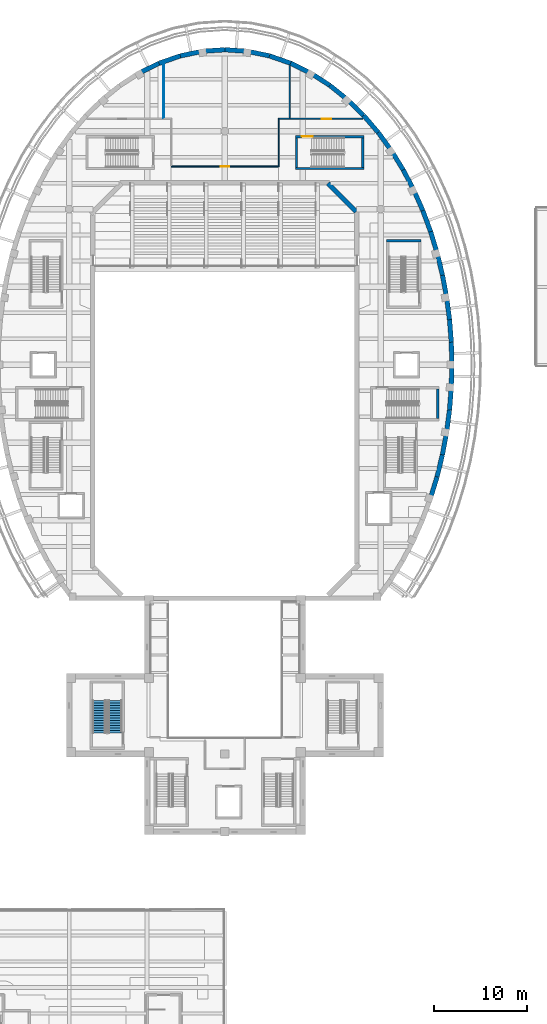
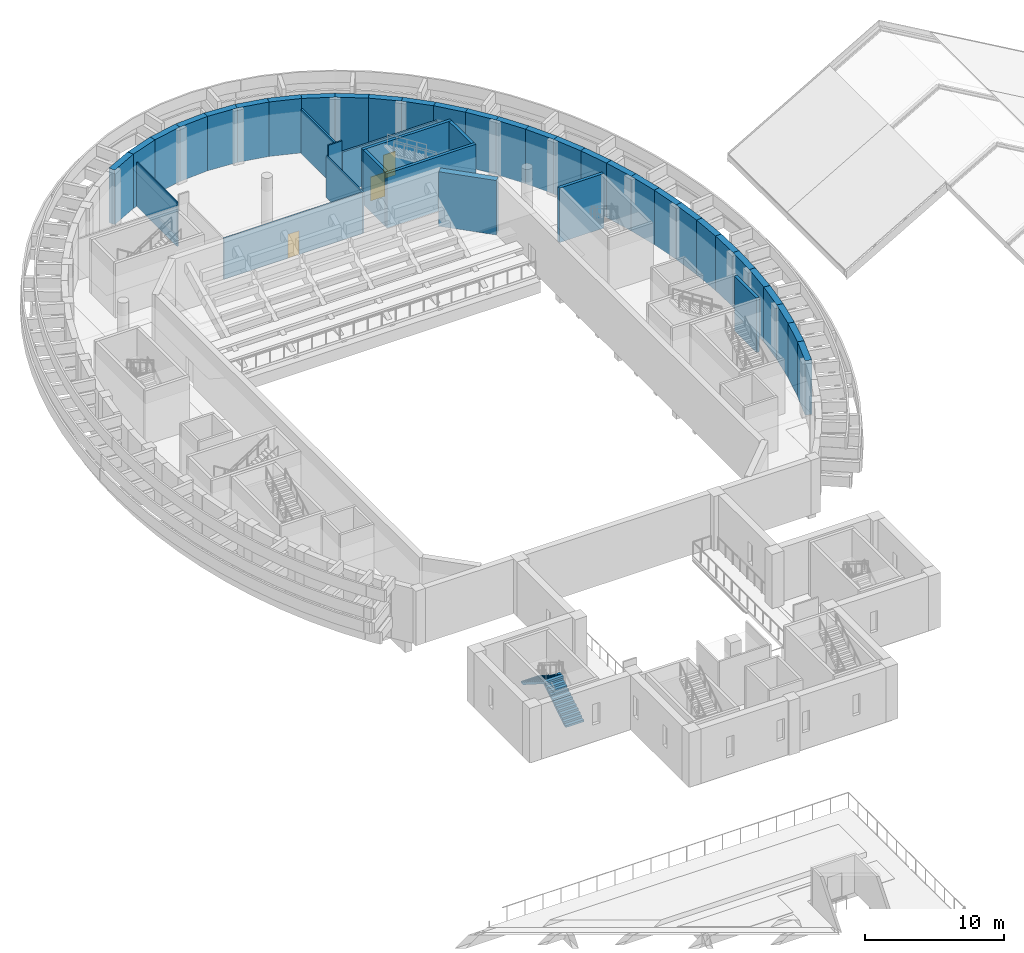
# One storey, part 14 of 37: 42 walls, 3 doors, 2 stair flights, 3 openings, 1 element without a shape of its own.
"""IFC4 building model written with IfcOpenShell, lengths in metres."""

from ifc_helpers import new_model, si_unit, direction, frame, frame_2d, origin, place, context, subcontext, project, spatial, polyline, rectangle, outline, extrude, material, layer, layer_set, type_object, element, fill, aggregate, save


model = new_model("IFC4")

# Units and contexts
model_context = context("Model", 3, precision=1e-05, world=origin(), true_north=direction((0.0, 1.0)))
body_context = subcontext(model_context, "Body", "Model", "MODEL_VIEW")
ifc_project = project(units=[si_unit("LENGTHUNIT", "METRE"), si_unit("AREAUNIT", "SQUARE_METRE"), si_unit("VOLUMEUNIT", "CUBIC_METRE"), si_unit("PLANEANGLEUNIT", "RADIAN"), si_unit("MASSUNIT", "GRAM", prefix="KILO")], contexts=[model_context])

# Site, building, storey
site_placement = place(None, origin())
site = spatial("IfcSite", under=ifc_project, at=site_placement, CompositionType="ELEMENT")
building_placement = place(site_placement, origin())
building = spatial("IfcBuilding", under=site, at=building_placement, Name="Larchfold Concert Hall", CompositionType="ELEMENT")
storey_placement = place(building_placement, frame((0.0, 0.0, 19.199951171875)))
storey = spatial("IfcBuildingStorey", under=building, at=storey_placement, Name="L04", CompositionType="ELEMENT", Elevation=19.199951171875)

# Walls
ifc_material_1 = material(Name="Plasterboard partition on steel studs", Category="steel")
ifc_layer_1 = layer(ifc_material_1, 0.125)
ifc_layer_set_1 = layer_set([ifc_layer_1], Name="Plasterboard partition on steel studs")
wall_type_1 = type_object("IfcWallType", Name="Corridor partition 125 EI 60", PredefinedType="PARTITIONING", material=ifc_layer_set_1)
wall_1_placement = place(storey_placement, frame((48.40087890625, 105.97998046875, 0.0), z_axis=(0.0, 0.0, 1.0), x_axis=(0.0, 1.0, 0.0)))
element("IfcWall", 1, at=wall_1_placement, inside=storey, type_object=wall_type_1, Name="Partition IW0001", PredefinedType="PARTITIONING", context=body_context, shape_type="SweptSolid", body=[
    extrude(rectangle(XDim=5.2314453125, YDim=0.125, at=frame_2d((2.61572265625, 0.0))), origin(), (0.0, 0.0, 1.0), 3.60009765625),
])
wall_2_placement = place(storey_placement, frame((48.46337890625, 111.14892578125, 0.0), z_axis=(0.0, 0.0, 1.0), x_axis=(1.0, 0.0, 0.0)))
element("IfcWall", 2, at=wall_2_placement, inside=storey, type_object=wall_type_1, Name="Partition IW0002", PredefinedType="PARTITIONING", context=body_context, shape_type="SweptSolid", body=[
    extrude(rectangle(XDim=1.155517578125, YDim=0.125, at=frame_2d((0.57763671875, 0.0))), origin(), (0.0, 0.0, 1.0), 4.60009765625),
])

# Wall, opening, door
wall_3_placement = place(storey_placement, frame((36.800048828125, 106.0, 0.0), z_axis=(0.0, 0.0, 1.0), x_axis=(1.0, 0.0, 0.0)))
wall_3 = element("IfcWall", 3, at=wall_3_placement, inside=storey, type_object=wall_type_1, Name="Partition IW0004", PredefinedType="PARTITIONING", context=body_context, shape_type="SweptSolid", body=[
    extrude(rectangle(XDim=11.534912109375, YDim=0.125, at=frame_2d((5.767578125, 0.0))), origin(), (0.0, 0.0, 1.0), 3.60009765625),
])
opening_1_placement = place(wall_3_placement, frame((5.35009765625, 0.0, 0.0)))
opening_1 = element("IfcOpeningElement", 4, at=opening_1_placement, cuts=wall_3, Name="Opening D-L04-104", PredefinedType="OPENING", context=body_context, shape_type="SweptSolid", body=[
    extrude(rectangle(XDim=0.89990234375, YDim=2.10009765625, at=frame_2d((0.449951171875, 1.050048828125))), frame((0.0, 0.072509765625, 0.0), z_axis=(0.0, -1.0, 0.0), x_axis=(1.0, 0.0, 0.0)), (0.0, 0.0, 1.0), 0.14501953125),
])
ifc_material_2 = material(Name="Timber door leaf", Category="wood")
door_type_1 = type_object("IfcDoorType", Name="Control room door 900 x 2100 FD60S", OperationType="SINGLE_SWING_LEFT", PredefinedType="DOOR", material=ifc_material_2)
door_1_placement = place(opening_1_placement, origin())
door_1 = element("IfcDoor", 5, at=door_1_placement, inside=storey, type_object=door_type_1, Name="Door D-L04-104", OperationType="SINGLE_SWING_LEFT", OverallHeight=2.10009765625, OverallWidth=0.89990234375, PredefinedType="DOOR", context=body_context, shape_type="SweptSolid", body=[
    extrude(rectangle(XDim=0.89990234375, YDim=2.10009765625, at=frame_2d((0.449951171875, 1.050048828125))), frame((0.0, 0.02490234375, 0.0), z_axis=(0.0, -1.0, 0.0), x_axis=(1.0, 0.0, 0.0)), (0.0, 0.0, 1.0), 0.050048828125),
])
fill(opening_1, door_1)

ifc_material_3 = material(Name="Plasterboard partition on steel studs", Category="steel")
ifc_layer_2 = layer(ifc_material_3, 0.14990234375)
ifc_layer_set_2 = layer_set([ifc_layer_2], Name="Plasterboard partition on steel studs")
wall_type_2 = type_object("IfcWallType", Name="Shaft and plant partition 150 EI 120", PredefinedType="PARTITIONING", material=ifc_layer_set_2)
wall_4_placement = place(storey_placement, frame((49.6201171875, 111.14892578125, 0.0), z_axis=(0.0, 0.0, 1.0), x_axis=(1.0, 0.0, 0.0)))
wall_4 = element("IfcWall", 6, at=wall_4_placement, inside=storey, type_object=wall_type_2, Name="Partition IW0003", PredefinedType="PARTITIONING", context=body_context, shape_type="SweptSolid", body=[
    extrude(rectangle(XDim=7.87890625, YDim=0.14990234375, at=frame_2d((3.939453125, 0.0))), origin(), (0.0, 0.0, 1.0), 3.60009765625),
])
opening_2_placement = place(wall_4_placement, frame((3.459716796875, 0.0, 0.0)))
opening_2 = element("IfcOpeningElement", 7, at=opening_2_placement, cuts=wall_4, Name="Opening D-L04-105", PredefinedType="OPENING", context=body_context, shape_type="SweptSolid", body=[
    extrude(rectangle(XDim=1.0, YDim=2.10009765625, at=frame_2d((0.5, 1.050048828125))), frame((0.0, 0.0849609375, 0.0), z_axis=(0.0, -1.0, 0.0), x_axis=(1.0, 0.0, 0.0)), (0.0, 0.0, 1.0), 0.169921875),
])
ifc_material_4 = material(Name="Timber door leaf", Category="wood")
door_type_2 = type_object("IfcDoorType", Name="Plant room door 1000 x 2100 FD60", OperationType="SINGLE_SWING_LEFT", PredefinedType="DOOR", material=ifc_material_4)
door_2_placement = place(opening_2_placement, origin())
door_2 = element("IfcDoor", 8, at=door_2_placement, inside=storey, type_object=door_type_2, Name="Door D-L04-105", OperationType="SINGLE_SWING_LEFT", OverallHeight=2.10009765625, OverallWidth=1.0, PredefinedType="DOOR", context=body_context, shape_type="SweptSolid", body=[
    extrude(rectangle(XDim=1.0, YDim=2.10009765625, at=frame_2d((0.5, 1.050048828125))), frame((0.0, 0.02490234375, 0.0), z_axis=(0.0, -1.0, 0.0), x_axis=(1.0, 0.0, 0.0)), (0.0, 0.0, 1.0), 0.050048828125),
])
fill(opening_2, door_2)

# Walls
wall_5_placement = place(storey_placement, frame((49.60009765625, 116.881103515625, 0.0), z_axis=(0.0, 0.0, 1.0), x_axis=(0.0, -1.0, 0.0)))
element("IfcWall", 9, at=wall_5_placement, inside=storey, type_object=wall_type_2, Name="Partition IW0009", PredefinedType="PARTITIONING", context=body_context, shape_type="SweptSolid", body=[
    extrude(rectangle(XDim=5.656005859375, YDim=0.14990234375, at=frame_2d((2.828125, 0.0))), origin(), (0.0, 0.0, 1.0), 3.89990234375),
])
ifc_material_5 = material(Name="Plasterboard partition on steel studs", Category="steel")
ifc_layer_3 = layer(ifc_material_5, 0.10009765625)
ifc_layer_set_3 = layer_set([ifc_layer_3], Name="Plasterboard partition on steel studs")
wall_type_3 = type_object("IfcWallType", Name="Stud partition 100", PredefinedType="PARTITIONING", material=ifc_layer_set_3)
wall_6_placement = place(storey_placement, frame((36.0, 117.034912109375, 0.0), z_axis=(0.0, 0.0, 1.0), x_axis=(-0.000167679729, -0.999999985942, 0.0)))
element("IfcWall", 10, at=wall_6_placement, inside=storey, type_object=wall_type_3, Name="Partition IW0008", PredefinedType="PARTITIONING", context=body_context, shape_type="SweptSolid", body=[
    extrude(rectangle(XDim=5.823974609375, YDim=0.10009765625, at=frame_2d((2.912109375, 0.0))), origin(), (0.0, 0.0, 1.0), 3.89990234375),
])
ifc_material_6 = material(Name="Concrete C40/50", Category="concrete")
ifc_layer_4 = layer(ifc_material_6, 0.25)
ifc_layer_set_4 = layer_set([ifc_layer_4], Name="Concrete C40/50")
wall_type_4 = type_object("IfcWallType", Name="Wall RC 250 stair core", PredefinedType="SOLIDWALL", material=ifc_layer_set_4)
wall_7_placement = place(storey_placement, frame((60.050048828125, 97.97509765625, 0.0), z_axis=(0.0, 0.0, 1.0), x_axis=(1.0, 0.0, 0.0)))
element("IfcWall", 11, at=wall_7_placement, inside=storey, type_object=wall_type_4, Name="Wall W0027", PredefinedType="SOLIDWALL", context=body_context, shape_type="SweptSolid", body=[
    extrude(rectangle(XDim=3.699951171875, YDim=0.25, at=frame_2d((1.85009765625, 0.0))), origin(), (0.0, 0.0, 1.0), 4.800048828125),
])
wall_8_placement = place(storey_placement, frame((50.199951171875, 105.77490234375, 0.0), z_axis=(0.0, 0.0, 1.0), x_axis=(1.0, 0.0, 0.0)))
element("IfcWall", 12, at=wall_8_placement, inside=storey, type_object=wall_type_4, Name="Wall W0030", PredefinedType="SOLIDWALL", context=body_context, shape_type="SweptSolid", body=[
    extrude(rectangle(XDim=7.400146484375, YDim=0.25, at=frame_2d((3.7001953125, 0.0))), origin(), (0.0, 0.0, 1.0), 4.800048828125),
])

# Wall, opening, door
wall_9_placement = place(storey_placement, frame((50.199951171875, 109.22509765625, 0.0), z_axis=(0.0, 0.0, 1.0), x_axis=(1.0, 0.0, 0.0)))
wall_9 = element("IfcWall", 13, at=wall_9_placement, inside=storey, type_object=wall_type_4, Name="Wall W0031", PredefinedType="SOLIDWALL", context=body_context, shape_type="SweptSolid", body=[
    extrude(rectangle(XDim=7.400146484375, YDim=0.25, at=frame_2d((3.7001953125, 0.0))), origin(), (0.0, 0.0, 1.0), 4.800048828125),
])
opening_3_placement = place(wall_9_placement, frame((0.700439453125, 0.0, 0.0)))
opening_3 = element("IfcOpeningElement", 14, at=opening_3_placement, cuts=wall_9, Name="Opening D-L04-124", PredefinedType="OPENING", context=body_context, shape_type="SweptSolid", body=[
    extrude(rectangle(XDim=1.199951171875, YDim=2.10009765625, at=frame_2d((0.60009765625, 1.050048828125))), frame((0.0, 0.135009765625, 0.0), z_axis=(0.0, -1.0, 0.0), x_axis=(1.0, 0.0, 0.0)), (0.0, 0.0, 1.0), 0.27001953125),
])
ifc_material_7 = material(Name="Timber door leaf", Category="wood")
door_type_3 = type_object("IfcDoorType", Name="Stair enclosure door pair 1200 x 2100 FD60", OperationType="SINGLE_SWING_LEFT", PredefinedType="DOOR", material=ifc_material_7)
door_3_placement = place(opening_3_placement, origin())
door_3 = element("IfcDoor", 15, at=door_3_placement, inside=storey, type_object=door_type_3, Name="Door D-L04-124", OperationType="DOUBLE_DOOR_SINGLE_SWING", OverallHeight=2.10009765625, OverallWidth=1.199951171875, PredefinedType="DOOR", context=body_context, shape_type="SweptSolid", body=[
    extrude(rectangle(XDim=1.199951171875, YDim=2.10009765625, at=frame_2d((0.60009765625, 1.050048828125))), frame((0.0, 0.02490234375, 0.0), z_axis=(0.0, -1.0, 0.0), x_axis=(1.0, 0.0, 0.0)), (0.0, 0.0, 1.0), 0.050048828125),
])
fill(opening_3, door_3)

# Walls
for number, where, z_axis, x_axis, name in (
    (16, (50.324951171875, 105.89990234375, 0.0), (0.0, 0.0, 1.0), (0.0, 1.0, 0.0), "Wall W0032"),
    (17, (57.47509765625, 105.89990234375, 0.0), (0.0, 0.0, 1.0), (0.0, 1.0, 0.0), "Wall W0033"),
):
    element("IfcWall", number, at=place(storey_placement, frame(where, z_axis=z_axis, x_axis=x_axis)), inside=storey, type_object=wall_type_4, Name=name, PredefinedType="SOLIDWALL", context=body_context, shape_type="SweptSolid", body=[
        extrude(rectangle(XDim=3.2001953125, YDim=0.25, at=frame_2d((1.60009765625, 0.0))), origin(), (0.0, 0.0, 1.0), 4.800048828125),
    ])
wall_10_placement = place(storey_placement, frame((65.574951171875, 78.800048828125, 0.0), z_axis=(0.0, 0.0, 1.0), x_axis=(0.0, 1.0, 0.0)))
element("IfcWall", 18, at=wall_10_placement, inside=storey, type_object=wall_type_4, Name="Wall W0057", PredefinedType="SOLIDWALL", context=body_context, shape_type="SweptSolid", body=[
    extrude(rectangle(XDim=3.199951171875, YDim=0.25, at=frame_2d((1.60009765625, 0.0))), origin(), (0.0, 0.0, 1.0), 4.800048828125),
])
ifc_material_8 = material(Name="Concrete C30/37", Category="concrete")
ifc_layer_5 = layer(ifc_material_8, 0.5)
ifc_layer_set_5 = layer_set([ifc_layer_5], Name="Concrete C30/37")
wall_type_5 = type_object("IfcWallType", Name="Wall RC 500 drum facade", PredefinedType="SOLIDWALL", material=ifc_layer_set_5)
for number, where, z_axis, x_axis, name in (
    (19, (67.10009765625, 84.60009765625, 0.0), (0.0, 0.0, 1.0), (-0.025779107921, 0.999667663574, 0.0), "Wall DW001"),
    (20, (67.037353515625, 87.033203125, 0.0), (0.0, 0.0, 1.0), (-0.077540262419, 0.996989221458, 0.0), "Wall DW002"),
    (21, (66.8486328125, 89.459716796875, 0.0), (0.0, 0.0, 1.0), (-0.129699392582, 0.991553360926, 0.0), "Wall DW003"),
    (22, (66.532958984375, 91.873046875, 0.0), (0.0, 0.0, 1.0), (-0.182362243365, 0.983231413348, 0.0), "Wall DW004"),
    (23, (66.089111328125, 94.26611328125, 0.0), (0.0, 0.0, 1.0), (-0.235921551206, 0.971772103776, 0.0), "Wall DW005"),
    (24, (65.514892578125, 96.63134765625, 0.0), (0.0, 0.0, 1.0), (-0.290594767559, 0.956846215997, 0.0), "Wall DW006"),
    (25, (64.8076171875, 98.960205078125, 0.0), (0.0, 0.0, 1.0), (-0.346579149604, 0.938020731679, 0.0), "Wall DW007"),
):
    element("IfcWall", number, at=place(storey_placement, frame(where, z_axis=z_axis, x_axis=x_axis)), inside=storey, type_object=wall_type_5, Name=name, PredefinedType="SOLIDWALL", context=body_context, shape_type="SweptSolid", body=[
        extrude(rectangle(XDim=2.433837890625, YDim=0.5, at=frame_2d((1.216796875, 0.0))), origin(), (0.0, 0.0, 1.0), 4.800048828125),
    ])
wall_11_placement = place(storey_placement, frame((63.964111328125, 101.2431640625, 0.0), z_axis=(0.0, 0.0, 1.0), x_axis=(-0.404089673612, 0.914719375371, 0.0)))
element("IfcWall", 26, at=wall_11_placement, inside=storey, type_object=wall_type_5, Name="Wall DW008", PredefinedType="SOLIDWALL", context=body_context, shape_type="SweptSolid", body=[
    extrude(rectangle(XDim=2.43359375, YDim=0.5, at=frame_2d((1.216796875, 0.0))), origin(), (0.0, 0.0, 1.0), 4.800048828125),
])
wall_12_placement = place(storey_placement, frame((62.980712890625, 103.46923828125, 0.0), z_axis=(0.0, 0.0, 1.0), x_axis=(-0.463152141842, 0.886278789945, 0.0)))
element("IfcWall", 27, at=wall_12_placement, inside=storey, type_object=wall_type_5, Name="Wall DW009", PredefinedType="SOLIDWALL", context=body_context, shape_type="SweptSolid", body=[
    extrude(rectangle(XDim=2.433837890625, YDim=0.5, at=frame_2d((1.216796875, 0.0))), origin(), (0.0, 0.0, 1.0), 4.800048828125),
])
wall_13_placement = place(storey_placement, frame((61.853515625, 105.626220703125, 0.0), z_axis=(0.0, 0.0, 1.0), x_axis=(-0.524097425664, 0.851658316705, 0.0)))
element("IfcWall", 28, at=wall_13_placement, inside=storey, type_object=wall_type_5, Name="Wall DW010", PredefinedType="SOLIDWALL", context=body_context, shape_type="SweptSolid", body=[
    extrude(rectangle(XDim=2.43359375, YDim=0.5, at=frame_2d((1.216796875, 0.0))), origin(), (0.0, 0.0, 1.0), 4.800048828125),
])
wall_14_placement = place(storey_placement, frame((60.578125, 107.69873046875, 0.0), z_axis=(0.0, 0.0, 1.0), x_axis=(-0.586643688245, 0.809845159918, 0.0)))
element("IfcWall", 29, at=wall_14_placement, inside=storey, type_object=wall_type_5, Name="Wall DW011", PredefinedType="SOLIDWALL", context=body_context, shape_type="SweptSolid", body=[
    extrude(rectangle(XDim=2.433837890625, YDim=0.5, at=frame_2d((1.216796875, 0.0))), origin(), (0.0, 0.0, 1.0), 4.800048828125),
])
for number, where, z_axis, x_axis, name in (
    (30, (59.150390625, 109.669677734375, 0.0), (0.0, 0.0, 1.0), (-0.650526940133, 0.759483179643, 0.0), "Wall DW012"),
    (31, (57.5673828125, 111.517822265625, 0.0), (0.0, 0.0, 1.0), (-0.71498883591, 0.69913586986, 0.0), "Wall DW013"),
):
    element("IfcWall", number, at=place(storey_placement, frame(where, z_axis=z_axis, x_axis=x_axis)), inside=storey, type_object=wall_type_5, Name=name, PredefinedType="SOLIDWALL", context=body_context, shape_type="SweptSolid", body=[
        extrude(rectangle(XDim=2.433349609375, YDim=0.5, at=frame_2d((1.216796875, 0.0))), origin(), (0.0, 0.0, 1.0), 4.800048828125),
    ])
wall_15_placement = place(storey_placement, frame((55.82763671875, 113.218994140625, 0.0), z_axis=(0.0, 0.0, 1.0), x_axis=(-0.779015271296, 0.627004949811, 0.0)))
element("IfcWall", 32, at=wall_15_placement, inside=storey, type_object=wall_type_5, Name="Wall DW014", PredefinedType="SOLIDWALL", context=body_context, shape_type="SweptSolid", body=[
    extrude(rectangle(XDim=2.43310546875, YDim=0.5, at=frame_2d((1.216552734375, 0.0))), origin(), (0.0, 0.0, 1.0), 4.800048828125),
])
wall_16_placement = place(storey_placement, frame((53.93212890625, 114.74462890625, 0.0), z_axis=(0.0, 0.0, 1.0), x_axis=(-0.840519246372, 0.541781687101, 0.0)))
element("IfcWall", 33, at=wall_16_placement, inside=storey, type_object=wall_type_5, Name="Wall DW015", PredefinedType="SOLIDWALL", context=body_context, shape_type="SweptSolid", body=[
    extrude(rectangle(XDim=2.432861328125, YDim=0.5, at=frame_2d((1.21630859375, 0.0))), origin(), (0.0, 0.0, 1.0), 4.800048828125),
])
for number, where, z_axis, x_axis, name in (
    (34, (51.88720703125, 116.062744140625, 0.0), (0.0, 0.0, 1.0), (-0.896822873966, 0.442389797274, 0.0), "Wall DW016"),
    (35, (49.70556640625, 117.138916015625, 0.0), (0.0, 0.0, 1.0), (-0.944373524566, 0.328874818279, 0.0), "Wall DW017"),
):
    element("IfcWall", number, at=place(storey_placement, frame(where, z_axis=z_axis, x_axis=x_axis)), inside=storey, type_object=wall_type_5, Name=name, PredefinedType="SOLIDWALL", context=body_context, shape_type="SweptSolid", body=[
        extrude(rectangle(XDim=2.4326171875, YDim=0.5, at=frame_2d((1.21630859375, 0.0))), origin(), (0.0, 0.0, 1.0), 4.800048828125),
    ])
for number, where, z_axis, x_axis, name in (
    (36, (47.408203125, 117.93896484375, 0.0), (0.0, 0.0, 1.0), (-0.979166233049, 0.203060306454, 0.0), "Wall DW018"),
    (37, (45.026611328125, 118.432861328125, 0.0), (0.0, 0.0, 1.0), (-0.997633415899, 0.068757308571, 0.0), "Wall DW019"),
    (38, (42.60009765625, 118.60009765625, 0.0), (0.0, 0.0, 1.0), (-0.997633415899, -0.068757308571, 0.0), "Wall DW020"),
    (39, (40.173583984375, 118.432861328125, 0.0), (0.0, 0.0, 1.0), (-0.979166233049, -0.203060306454, 0.0), "Wall DW021"),
):
    element("IfcWall", number, at=place(storey_placement, frame(where, z_axis=z_axis, x_axis=x_axis)), inside=storey, type_object=wall_type_5, Name=name, PredefinedType="SOLIDWALL", context=body_context, shape_type="SweptSolid", body=[
        extrude(rectangle(XDim=2.432373046875, YDim=0.5, at=frame_2d((1.21630859375, 0.0))), origin(), (0.0, 0.0, 1.0), 4.800048828125),
    ])
for number, where, z_axis, x_axis, name in (
    (40, (37.7919921875, 117.93896484375, 0.0), (0.0, 0.0, 1.0), (-0.944373524566, -0.328874818279, 0.0), "Wall DW022"),
    (41, (35.49462890625, 117.138916015625, 0.0), (0.0, 0.0, 1.0), (-0.896822873966, -0.442389797274, 0.0), "Wall DW023"),
):
    element("IfcWall", number, at=place(storey_placement, frame(where, z_axis=z_axis, x_axis=x_axis)), inside=storey, type_object=wall_type_5, Name=name, PredefinedType="SOLIDWALL", context=body_context, shape_type="SweptSolid", body=[
        extrude(rectangle(XDim=2.4326171875, YDim=0.5, at=frame_2d((1.21630859375, 0.0))), origin(), (0.0, 0.0, 1.0), 4.800048828125),
    ])
for number, where, z_axis, x_axis, name in (
    (42, (64.778564453125, 70.154052734375, 0.0), (0.0, 0.0, 1.0), (0.29250219685, 0.95626485078, 0.0), "Wall DW056"),
    (43, (65.494873046875, 72.495849609375, 0.0), (0.0, 0.0, 1.0), (0.237465633216, 0.971395940408, 0.0), "Wall DW057"),
    (44, (66.076416015625, 74.874755859375, 0.0), (0.0, 0.0, 1.0), (0.183524085598, 0.983015213517, 0.0), "Wall DW058"),
    (45, (66.52587890625, 77.2822265625, 0.0), (0.0, 0.0, 1.0), (0.130498353005, 0.991448526078, 0.0), "Wall DW059"),
):
    element("IfcWall", number, at=place(storey_placement, frame(where, z_axis=z_axis, x_axis=x_axis)), inside=storey, type_object=wall_type_5, Name=name, PredefinedType="SOLIDWALL", context=body_context, shape_type="SweptSolid", body=[
        extrude(rectangle(XDim=2.448974609375, YDim=0.5, at=frame_2d((1.224609375, 0.0))), origin(), (0.0, 0.0, 1.0), 4.800048828125),
    ])
wall_17_placement = place(storey_placement, frame((66.845458984375, 79.710205078125, 0.0), z_axis=(0.0, 0.0, 1.0), x_axis=(0.078053315948, 0.996949186202, 0.0)))
element("IfcWall", 46, at=wall_17_placement, inside=storey, type_object=wall_type_5, Name="Wall DW060", PredefinedType="SOLIDWALL", context=body_context, shape_type="SweptSolid", body=[
    extrude(rectangle(XDim=2.44921875, YDim=0.5, at=frame_2d((1.224609375, 0.0))), origin(), (0.0, 0.0, 1.0), 4.800048828125),
])
wall_18_placement = place(storey_placement, frame((67.03662109375, 82.15185546875, 0.0), z_axis=(0.0, 0.0, 1.0), x_axis=(0.02591869307, 0.999664054245, 0.0)))
element("IfcWall", 47, at=wall_18_placement, inside=storey, type_object=wall_type_5, Name="Wall DW061", PredefinedType="SOLIDWALL", context=body_context, shape_type="SweptSolid", body=[
    extrude(rectangle(XDim=2.448974609375, YDim=0.5, at=frame_2d((1.224609375, 0.0))), origin(), (0.0, 0.0, 1.0), 4.800048828125),
])
ifc_material_9 = material(Name="Concrete C40/50", Category="concrete")
ifc_layer_6 = layer(ifc_material_9, 0.5)
ifc_layer_set_6 = layer_set([ifc_layer_6], Name="Concrete C40/50")
wall_type_6 = type_object("IfcWallType", Name="Wall RC 500 hall shell", PredefinedType="SOLIDWALL", material=ifc_layer_set_6)
wall_19_placement = place(storey_placement, frame((56.77734375, 101.122802734375, 0.0), z_axis=(0.0, 0.0, 1.0), x_axis=(-0.707106781187, 0.707106781187, 0.0)))
element("IfcWall", 48, at=wall_19_placement, inside=storey, type_object=wall_type_6, Name="Wall W0003", PredefinedType="SOLIDWALL", context=body_context, shape_type="SweptSolid", body=[
    extrude(rectangle(XDim=4.319580078125, YDim=0.5, at=frame_2d((2.15966796875, 0.0))), origin(), (0.0, 0.0, 1.0), 4.800048828125),
])

# Stair, stair flights
ifc_material_10 = material(Name="Concrete C35/45", Category="concrete")
stair_type = type_object("IfcStairType", Name="Stair RC half-turn enclosed", PredefinedType="HALF_TURN_STAIR", material=ifc_material_10)
stair_placement = place(storey_placement, origin())
stair = element("IfcStair", 49, at=stair_placement, inside=storey, type_object=stair_type, Name="Stair SH1", PredefinedType="HALF_TURN_STAIR")
ifc_material_11 = material(Name="Concrete C35/45", Category="concrete")
stair_flight_type = type_object("IfcStairFlightType", Name="Stair flight RC 1500 x 171.4", PredefinedType="STRAIGHT", material=ifc_material_11)
stair_flight_1_placement = place(storey_placement, frame((30.75, 44.85009765625, 0.0), z_axis=(0.0, 0.0, 1.0), x_axis=(0.0, 1.0, 0.0)))
stair_flight_1 = element("IfcStairFlight", 50, at=stair_flight_1_placement, type_object=stair_flight_type, Name="ST09 flight 1", NumberOfRisers=14, NumberOfTreads=13, PredefinedType="STRAIGHT", RiserHeight=0.171428571, TreadLength=0.27, context=body_context, shape_type="SweptSolid", body=[
    extrude(outline(polyline([(0.0, 0.0), (0.0, 0.17138671875), (0.27001953125, 0.17138671875), (0.27001953125, 0.3427734375), (0.5400390625, 0.3427734375), (0.5400390625, 0.514404296875), (0.81005859375, 0.514404296875), (0.81005859375, 0.685791015625), (1.080078125, 0.685791015625), (1.080078125, 0.857177734375), (1.35009765625, 0.857177734375), (1.35009765625, 1.028564453125), (1.6201171875, 1.028564453125), (1.6201171875, 1.199951171875), (1.889892578125, 1.199951171875), (1.889892578125, 1.371337890625), (2.159912109375, 1.371337890625), (2.159912109375, 1.54296875), (2.429931640625, 1.54296875), (2.429931640625, 1.71435546875), (2.699951171875, 1.71435546875), (2.699951171875, 1.8857421875), (2.969970703125, 1.8857421875), (2.969970703125, 2.05712890625), (3.239990234375, 2.05712890625), (3.239990234375, 2.228515625), (3.510009765625, 2.228515625), (3.510009765625, 2.39990234375), (3.510009765625, 2.051025390625), (0.27978515625, 0.0), (0.0, 0.0)])), frame((0.0, 0.75, 0.0), z_axis=(0.0, -1.0, 0.0), x_axis=(1.0, 0.0, 0.0)), (0.0, 0.0, 1.0), 1.5),
])
stair_flight_2_placement = place(storey_placement, frame((29.050048828125, 48.360107421875, 2.400146484375), z_axis=(0.0, 0.0, 1.0), x_axis=(0.0, -1.0, 0.0)))
stair_flight_2 = element("IfcStairFlight", 51, at=stair_flight_2_placement, type_object=stair_flight_type, Name="ST09 flight 2", NumberOfRisers=14, NumberOfTreads=13, PredefinedType="STRAIGHT", RiserHeight=0.171428571, TreadLength=0.27, context=body_context, shape_type="SweptSolid", body=[
    extrude(outline(polyline([(0.0, 0.0), (0.0, 0.17138671875), (0.27001953125, 0.17138671875), (0.27001953125, 0.3427734375), (0.5400390625, 0.3427734375), (0.5400390625, 0.514404296875), (0.81005859375, 0.514404296875), (0.81005859375, 0.685791015625), (1.080078125, 0.685791015625), (1.080078125, 0.857177734375), (1.35009765625, 0.857177734375), (1.35009765625, 1.028564453125), (1.6201171875, 1.028564453125), (1.6201171875, 1.199951171875), (1.889892578125, 1.199951171875), (1.889892578125, 1.371337890625), (2.159912109375, 1.371337890625), (2.159912109375, 1.54296875), (2.429931640625, 1.54296875), (2.429931640625, 1.71435546875), (2.699951171875, 1.71435546875), (2.699951171875, 1.8857421875), (2.969970703125, 1.8857421875), (2.969970703125, 2.05712890625), (3.239990234375, 2.05712890625), (3.239990234375, 2.228515625), (3.510009765625, 2.228515625), (3.510009765625, 2.39990234375), (3.510009765625, 2.051025390625), (0.27978515625, 0.0), (0.0, 0.0)])), frame((0.0, 0.75, 0.0), z_axis=(0.0, -1.0, 0.0), x_axis=(1.0, 0.0, 0.0)), (0.0, 0.0, 1.0), 1.5),
])
aggregate(stair, [stair_flight_1, stair_flight_2])

save(model, "model.ifc")
